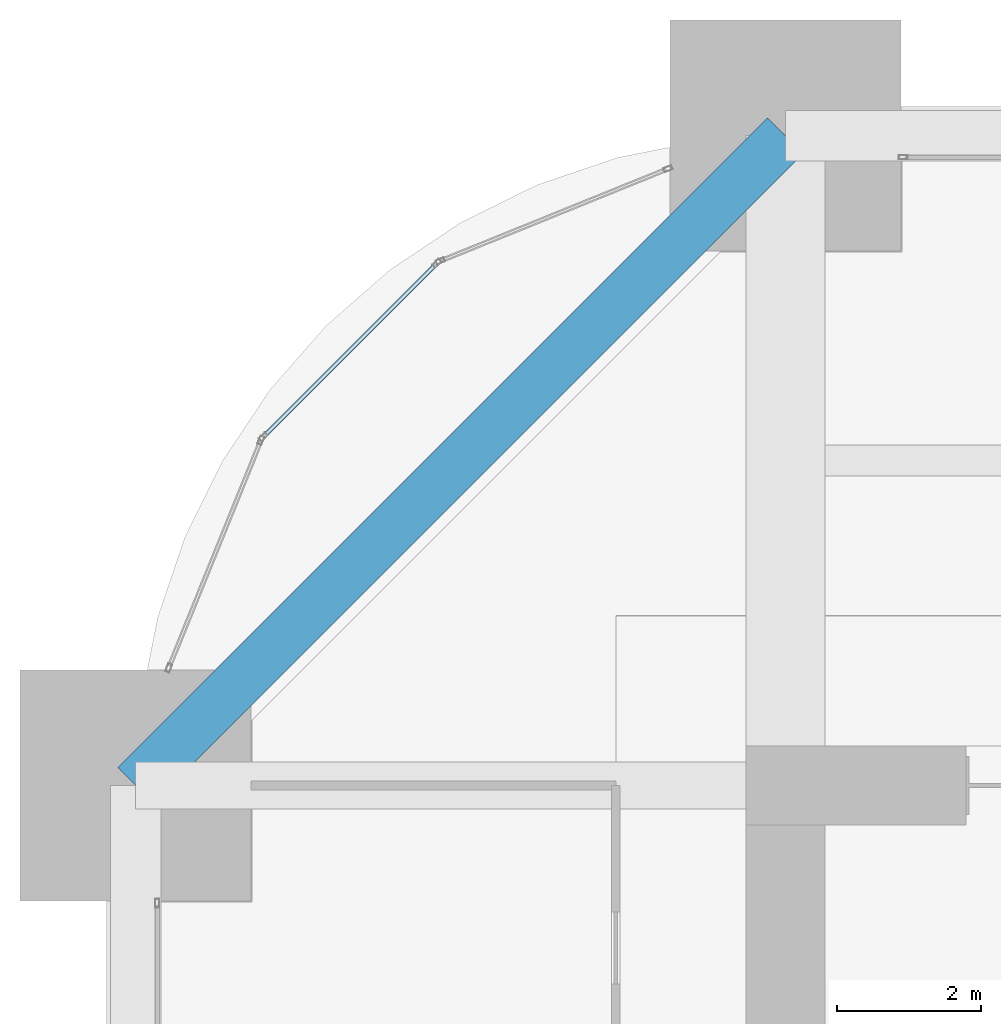
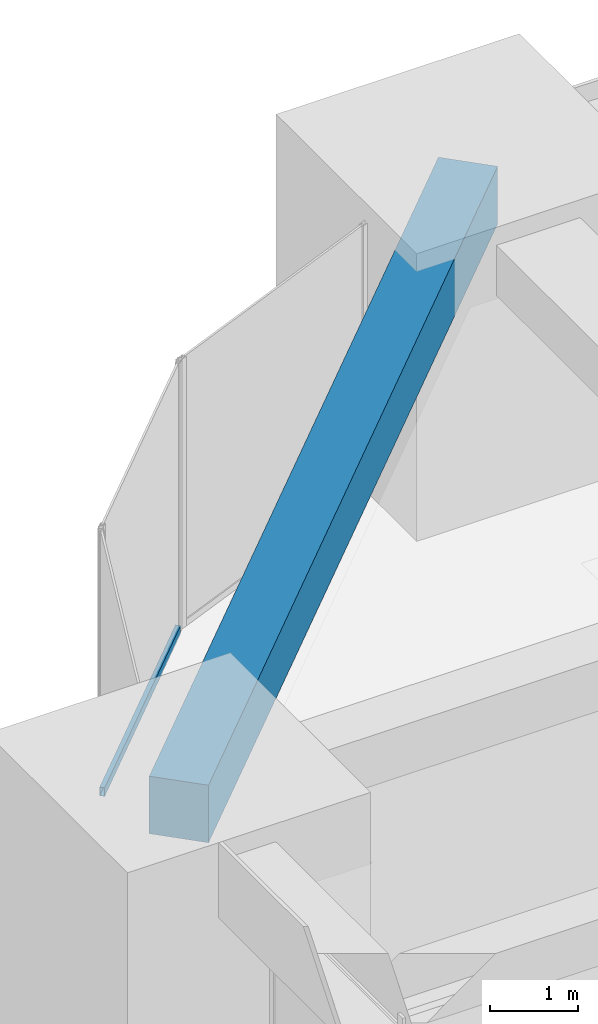
# One storey, part 28 of 43: 1 beam, 1 member, 1 element without a shape of its own.
"""IFC4 building model written with IfcOpenShell, lengths in metres."""

from ifc_helpers import new_model, si_unit, direction, frame, origin, origin_2d, place, context, subcontext, project, spatial, rectangle, hollow_rectangle, extrude, material, material_profile, profile_set, type_object, element, aggregate, save


model = new_model("IFC4")

# Units and contexts
model_context = context("Model", 3, precision=1e-05, world=origin(), true_north=direction((0.0, 1.0)))
body_context = subcontext(model_context, "Body", "Model", "MODEL_VIEW")
ifc_project = project(units=[si_unit("LENGTHUNIT", "METRE"), si_unit("AREAUNIT", "SQUARE_METRE"), si_unit("VOLUMEUNIT", "CUBIC_METRE"), si_unit("PLANEANGLEUNIT", "RADIAN"), si_unit("MASSUNIT", "GRAM", prefix="KILO")], contexts=[model_context])

# Site, building, storey
site_placement = place(None, origin())
site = spatial("IfcSite", under=ifc_project, at=site_placement, CompositionType="ELEMENT")
building_placement = place(site_placement, origin())
building = spatial("IfcBuilding", under=site, at=building_placement, Name="Zorevar Civic Tower", CompositionType="ELEMENT")
storey_placement = place(building_placement, frame((0.0, 0.0, 243.39990234375)))
storey = spatial("IfcBuildingStorey", under=building, at=storey_placement, Name="L59", CompositionType="ELEMENT", Elevation=243.39990234375)

# Curtain wall, member
ifc_material_1 = material(Name="Dark grey solar-control glass in black aluminium frame", Category="aluminium")
curtain_wall_type = type_object("IfcCurtainWallType", Name="Curtain wall CW5 top zone", PredefinedType="NOTDEFINED", material=ifc_material_1)
curtain_wall_placement = place(storey_placement, origin())
curtain_wall = element("IfcCurtainWall", 1, at=curtain_wall_placement, inside=storey, type_object=curtain_wall_type, Name="CW5 L59", PredefinedType="NOTDEFINED")
ifc_material_2 = material(Name="Aluminium, black anodised", Category="aluminium")
ifc_material_profile_1 = material_profile(ifc_material_2, hollow_rectangle(XDim=0.06005859375, YDim=0.1201171875, WallThickness=0.0029296875, at=origin_2d()), Name="AL 120x60x3")
ifc_profile_set_1 = profile_set([ifc_material_profile_1], Name="Aluminium, black anodised")
member_type = type_object("IfcMemberType", Name="CW5 transom AL 120x60x3", PredefinedType="USERDEFINED", material=ifc_profile_set_1)
member_placement = place(storey_placement, frame((13.151611328125, 43.209716796875, 0.030029296875), z_axis=(-0.707106781187, -0.707106781187, 0.0), x_axis=(0.707106781187, -0.707106781187, 0.0)))
member = element("IfcMember", 2, at=member_placement, type_object=member_type, Name="CW5 sill transom", ObjectType="TRANSOM", PredefinedType="USERDEFINED", context=body_context, shape_type="SweptSolid", body=[
    extrude(hollow_rectangle(XDim=0.06005859375, YDim=0.1201171875, WallThickness=0.0029296875, at=origin_2d()), origin(), (0.0, 0.0, 1.0), 3.33935546875),
])
aggregate(curtain_wall, [member])

# Beam
ifc_material_3 = material(Name="Concrete C50/60", Category="concrete")
ifc_material_profile_2 = material_profile(ifc_material_3, rectangle(XDim=0.699951171875, YDim=0.800048828125, at=origin_2d()), Name="RC 700x800")
ifc_profile_set_2 = profile_set([ifc_material_profile_2], Name="Concrete C50/60")
beam_type = type_object("IfcBeamType", Name="Edge beam RC 700x800", PredefinedType="SPANDREL", material=ifc_profile_set_2)
beam_placement = place(storey_placement, frame((18.0, 45.0, 3.35009765625), z_axis=(-0.707106781187, -0.707106781187, 0.0), x_axis=(0.707106781187, -0.707106781187, 0.0)))
element("IfcBeam", 3, at=beam_placement, inside=storey, type_object=beam_type, Name="Corner edge beam L60", PredefinedType="SPANDREL", context=body_context, shape_type="SweptSolid", body=[
    extrude(rectangle(XDim=0.699951171875, YDim=0.800048828125, at=origin_2d()), origin(), (0.0, 0.0, 1.0), 12.72802734375),
])

save(model, "model.ifc")
